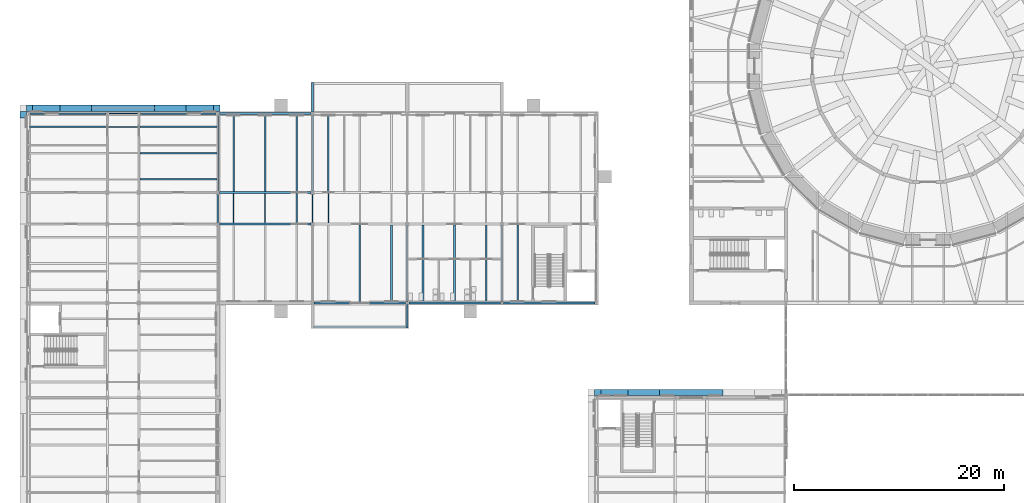
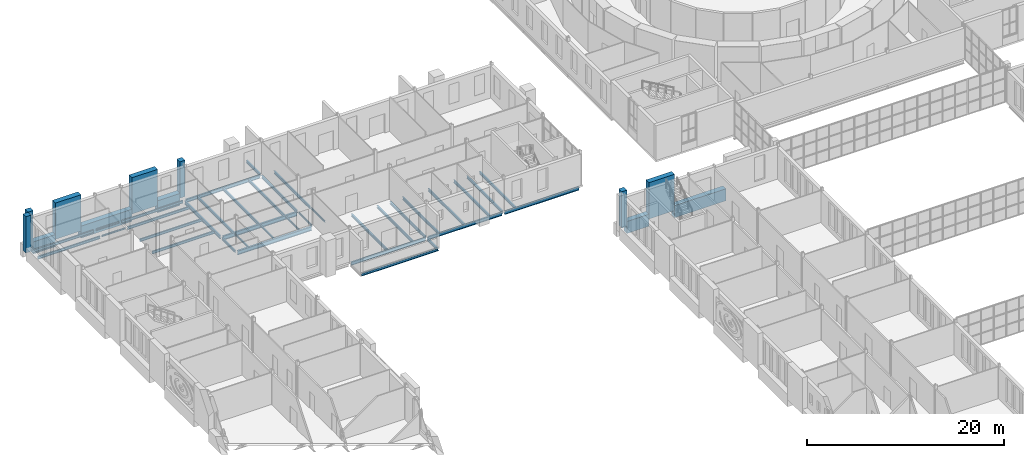
# One storey, part 41 of 131: 42 beams, 7 members.
"""IFC4 building model written with IfcOpenShell, lengths in metres."""

from ifc_helpers import new_model, si_unit, direction, frame, origin, origin_2d, place, context, subcontext, project, spatial, rectangle, i_section, extrude, material, material_profile, profile_set, type_object, element, save


model = new_model("IFC4")

# Units and contexts
model_context = context("Model", 3, precision=1e-05, world=origin(), true_north=direction((0.0, 1.0)))
body_context = subcontext(model_context, "Body", "Model", "MODEL_VIEW")
ifc_project = project(units=[si_unit("LENGTHUNIT", "METRE"), si_unit("AREAUNIT", "SQUARE_METRE"), si_unit("VOLUMEUNIT", "CUBIC_METRE"), si_unit("PLANEANGLEUNIT", "RADIAN"), si_unit("MASSUNIT", "GRAM", prefix="KILO")], contexts=[model_context])

# Site, building, storey
site_placement = place(None, origin())
site = spatial("IfcSite", under=ifc_project, at=site_placement, CompositionType="ELEMENT")
building_placement = place(site_placement, origin())
building = spatial("IfcBuilding", under=site, at=building_placement, Name="Golden Quay Civic Hall", CompositionType="ELEMENT")
storey_placement = place(building_placement, frame((0.0, 0.0, 9.89990234375)))
storey = spatial("IfcBuildingStorey", under=building, at=storey_placement, Name="L02", CompositionType="ELEMENT", Elevation=9.89990234375)

# Beams
ifc_material_1 = material(Name="Steel S355", Category="steel")
ifc_material_profile_1 = material_profile(ifc_material_1, i_section(OverallWidth=0.159912109375, OverallDepth=0.330078125, WebThickness=0.007568359375, FlangeThickness=0.011474609375, FilletRadius=0.01806640625, at=origin_2d()), Name="IPE 330")
ifc_profile_set_1 = profile_set([ifc_material_profile_1], Name="Steel S355")
beam_type_1 = type_object("IfcBeamType", Name="Loggia head beam IPE 330", PredefinedType="BEAM", material=ifc_profile_set_1)
beam_1_placement = place(storey_placement, frame((27.080078125, 60.72998046875, -0.364990234375), z_axis=(1.0, 0.0, 0.0), x_axis=(0.0, 1.0, 0.0)))
element("IfcBeam", 1, at=beam_1_placement, inside=storey, type_object=beam_type_1, Name="Loggia head beam IPE 330 L02 5", PredefinedType="BEAM", context=body_context, shape_type="SweptSolid", body=[
    extrude(i_section(OverallWidth=0.159912109375, OverallDepth=0.330078125, WebThickness=0.007568359375, FlangeThickness=0.011474609375, FilletRadius=0.01806640625, at=origin_2d()), origin(), (0.0, 0.0, 1.0), 8.83984375),
])
ifc_material_2 = material(Name="Steel S355", Category="steel")
ifc_material_profile_2 = material_profile(ifc_material_2, i_section(OverallWidth=0.159912109375, OverallDepth=0.330078125, WebThickness=0.007568359375, FlangeThickness=0.011474609375, FilletRadius=0.01806640625, at=origin_2d()), Name="IPE 330")
ifc_profile_set_2 = profile_set([ifc_material_profile_2], Name="Steel S355")
beam_type_2 = type_object("IfcBeamType", Name="Loggia stub IPE 330", PredefinedType="BEAM", material=ifc_profile_set_2)
beam_2_placement = place(storey_placement, frame((36.0, 62.864990234375, -0.364990234375), z_axis=(0.0, -1.0, 0.0), x_axis=(1.0, 0.0, 0.0)))
element("IfcBeam", 2, at=beam_2_placement, inside=storey, type_object=beam_type_2, Name="Loggia stub IPE 330 L02 7", PredefinedType="BEAM", context=body_context, shape_type="SweptSolid", body=[
    extrude(i_section(OverallWidth=0.159912109375, OverallDepth=0.330078125, WebThickness=0.007568359375, FlangeThickness=0.011474609375, FilletRadius=0.01806640625, at=origin_2d()), origin(), (0.0, 0.0, 1.0), 2.215087890625),
])
beam_3_placement = place(storey_placement, frame((27.0, 81.135009765625, -0.364990234375), z_axis=(0.0, 1.0, 0.0), x_axis=(-1.0, 0.0, 0.0)))
element("IfcBeam", 3, at=beam_3_placement, inside=storey, type_object=beam_type_2, Name="Loggia stub IPE 330 L02 8", PredefinedType="BEAM", context=body_context, shape_type="SweptSolid", body=[
    extrude(i_section(OverallWidth=0.159912109375, OverallDepth=0.330078125, WebThickness=0.007568359375, FlangeThickness=0.011474609375, FilletRadius=0.01806640625, at=origin_2d()), origin(), (0.0, 0.0, 1.0), 2.81494140625),
])

# Members
ifc_material_3 = material(Name="Concrete C40/50", Category="concrete")
ifc_material_profile_3 = material_profile(ifc_material_3, rectangle(XDim=3.0, YDim=0.60009765625, at=origin_2d()), Name="RC 3000x600")
ifc_profile_set_3 = profile_set([ifc_material_profile_3], Name="Concrete C40/50")
member_type_1 = type_object("IfcMemberType", Name="Precast concrete facade pier 3000 x 600", PredefinedType="POST", material=ifc_profile_set_3)
for number, where, z_axis, x_axis, name in (
    (4, (4.5, 81.5, 0.0), (0.0, 0.0, 1.0), (1.0, 0.0, 0.0), "Precast concrete facade pier 3000 x 600 L02 9"),
    (5, (13.5, 81.5, 0.0), (0.0, 0.0, 1.0), (1.0, 0.0, 0.0), "Precast concrete facade pier 3000 x 600 L02 10"),
    (6, (58.5, 54.5, 0.0), (0.0, 0.0, 1.0), (1.0, 0.0, 0.0), "Precast concrete facade pier 3000 x 600 L02 23"),
):
    element("IfcMember", number, at=place(storey_placement, frame(where, z_axis=z_axis, x_axis=x_axis)), inside=storey, type_object=member_type_1, Name=name, PredefinedType="POST", context=body_context, shape_type="SweptSolid", body=[
        extrude(rectangle(XDim=3.0, YDim=0.60009765625, at=origin_2d()), origin(), (0.0, 0.0, 1.0), 4.5),
    ])
ifc_material_4 = material(Name="Concrete C40/50", Category="concrete")
ifc_material_profile_4 = material_profile(ifc_material_4, rectangle(XDim=0.60009765625, YDim=0.60009765625, at=origin_2d()), Name="RC 600x600")
ifc_profile_set_4 = profile_set([ifc_material_profile_4], Name="Concrete C40/50")
member_type_2 = type_object("IfcMemberType", Name="Precast concrete facade post 600 x 600", PredefinedType="POST", material=ifc_profile_set_4)
for number, where, z_axis, x_axis, name in (
    (7, (-0.5, 80.89990234375, 0.0), (0.0, 0.0, 1.0), (1.0, 0.0, 0.0), "Precast concrete facade post 600 x 600 L02 1"),
    (8, (0.10009765625, 81.5, 0.0), (0.0, 0.0, 1.0), (1.0, 0.0, 0.0), "Precast concrete facade post 600 x 600 L02 2"),
    (9, (17.89990234375, 81.5, 0.0), (0.0, 0.0, 1.0), (1.0, 0.0, 0.0), "Precast concrete facade post 600 x 600 L02 3"),
    (10, (54.10009765625, 54.5, 0.0), (0.0, 0.0, 1.0), (1.0, 0.0, 0.0), "Precast concrete facade post 600 x 600 L02 7"),
):
    element("IfcMember", number, at=place(storey_placement, frame(where, z_axis=z_axis, x_axis=x_axis)), inside=storey, type_object=member_type_2, Name=name, PredefinedType="POST", context=body_context, shape_type="SweptSolid", body=[
        extrude(rectangle(XDim=0.60009765625, YDim=0.60009765625, at=origin_2d()), origin(), (0.0, 0.0, 1.0), 4.5),
    ])

# Beams
ifc_material_5 = material(Name="Concrete C40/50", Category="concrete")
ifc_material_profile_5 = material_profile(ifc_material_5, rectangle(XDim=0.60009765625, YDim=1.5, at=origin_2d()), Name="RC 600x1500")
ifc_profile_set_5 = profile_set([ifc_material_profile_5], Name="Concrete C40/50")
beam_type_3 = type_object("IfcBeamType", Name="Precast concrete spandrel beam 600 x 1500", PredefinedType="SPANDREL", material=ifc_profile_set_5)
for number, where, z_axis, x_axis, name in (
    (11, (0.39990234375, 81.5, -0.14990234375), (1.0, 0.0, 0.0), (0.0, 1.0, 0.0), "Precast concrete spandrel beam 600 x 1500 L02 2"),
    (12, (15.0, 81.5, -0.14990234375), (1.0, 0.0, 0.0), (0.0, 1.0, 0.0), "Precast concrete spandrel beam 600 x 1500 L02 4"),
):
    element("IfcBeam", number, at=place(storey_placement, frame(where, z_axis=z_axis, x_axis=x_axis)), inside=storey, type_object=beam_type_3, Name=name, PredefinedType="SPANDREL", context=body_context, shape_type="SweptSolid", body=[
        extrude(rectangle(XDim=0.60009765625, YDim=1.5, at=origin_2d()), origin(), (0.0, 0.0, 1.0), 2.60009765625),
    ])
beam_4_placement = place(storey_placement, frame((6.0, 81.5, -0.14990234375), z_axis=(1.0, 0.0, 0.0), x_axis=(0.0, 1.0, 0.0)))
element("IfcBeam", 13, at=beam_4_placement, inside=storey, type_object=beam_type_3, Name="Precast concrete spandrel beam 600 x 1500 L02 5", PredefinedType="SPANDREL", context=body_context, shape_type="SweptSolid", body=[
    extrude(rectangle(XDim=0.60009765625, YDim=1.5, at=origin_2d()), origin(), (0.0, 0.0, 1.0), 6.0),
])
beam_5_placement = place(storey_placement, frame((54.39990234375, 54.5, -0.14990234375), z_axis=(1.0, 0.0, 0.0), x_axis=(0.0, 1.0, 0.0)))
element("IfcBeam", 14, at=beam_5_placement, inside=storey, type_object=beam_type_3, Name="Precast concrete spandrel beam 600 x 1500 L02 21", PredefinedType="SPANDREL", context=body_context, shape_type="SweptSolid", body=[
    extrude(rectangle(XDim=0.60009765625, YDim=1.5, at=origin_2d()), origin(), (0.0, 0.0, 1.0), 2.60009765625),
])
beam_6_placement = place(storey_placement, frame((60.0, 54.5, -0.14990234375), z_axis=(1.0, 0.0, 0.0), x_axis=(0.0, 1.0, 0.0)))
element("IfcBeam", 15, at=beam_6_placement, inside=storey, type_object=beam_type_3, Name="Precast concrete spandrel beam 600 x 1500 L02 23", PredefinedType="SPANDREL", context=body_context, shape_type="SweptSolid", body=[
    extrude(rectangle(XDim=0.60009765625, YDim=1.5, at=origin_2d()), origin(), (0.0, 0.0, 1.0), 6.0),
])
ifc_material_6 = material(Name="Steel S355", Category="steel")
ifc_material_profile_6 = material_profile(ifc_material_6, i_section(OverallWidth=0.10009765625, OverallDepth=0.199951171875, WebThickness=0.005615234375, FlangeThickness=0.008544921875, FilletRadius=0.011962890625, at=origin_2d()), Name="IPE 200")
ifc_profile_set_6 = profile_set([ifc_material_profile_6], Name="Steel S355")
beam_type_4 = type_object("IfcBeamType", Name="Steel beam IPE 200", PredefinedType="BEAM", material=ifc_profile_set_6)
for number, where, z_axis, x_axis, name in (
    (16, (7.64990234375, 81.0, -0.2998046875), (1.0, 0.0, 0.0), (0.0, 1.0, 0.0), "Beam S81-7.5"),
    (17, (27.0, 70.64990234375, -0.2998046875), (0.0, 1.0, 0.0), (-1.0, 0.0, 0.0), "Beam S27-70.5"),
):
    element("IfcBeam", number, at=place(storey_placement, frame(where, z_axis=z_axis, x_axis=x_axis)), inside=storey, type_object=beam_type_4, Name=name, PredefinedType="BEAM", context=body_context, shape_type="SweptSolid", body=[
        extrude(i_section(OverallWidth=0.10009765625, OverallDepth=0.199951171875, WebThickness=0.005615234375, FlangeThickness=0.008544921875, FilletRadius=0.011962890625, at=origin_2d()), origin(), (0.0, 0.0, 1.0), 2.7001953125),
    ])
ifc_material_7 = material(Name="Steel S355", Category="steel")
ifc_material_profile_7 = material_profile(ifc_material_7, i_section(OverallWidth=0.135009765625, OverallDepth=0.27001953125, WebThickness=0.006591796875, FlangeThickness=0.01025390625, FilletRadius=0.014892578125, at=origin_2d()), Name="IPE 270")
ifc_profile_set_7 = profile_set([ifc_material_profile_7], Name="Steel S355")
beam_type_5 = type_object("IfcBeamType", Name="Steel beam IPE 270", PredefinedType="BEAM", material=ifc_profile_set_7)
beam_7_placement = place(storey_placement, frame((18.0, 70.64990234375, -0.3349609375), z_axis=(0.0, 1.0, 0.0), x_axis=(-1.0, 0.0, 0.0)))
element("IfcBeam", 18, at=beam_7_placement, inside=storey, type_object=beam_type_5, Name="Beam L18-70.5", PredefinedType="BEAM", context=body_context, shape_type="SweptSolid", body=[
    extrude(i_section(OverallWidth=0.135009765625, OverallDepth=0.27001953125, WebThickness=0.006591796875, FlangeThickness=0.01025390625, FilletRadius=0.014892578125, at=origin_2d()), origin(), (0.0, 0.0, 1.0), 2.7001953125),
])
ifc_material_8 = material(Name="Steel S355", Category="steel")
ifc_material_profile_8 = material_profile(ifc_material_8, i_section(OverallWidth=0.159912109375, OverallDepth=0.330078125, WebThickness=0.007568359375, FlangeThickness=0.011474609375, FilletRadius=0.01806640625, at=origin_2d()), Name="IPE 330")
ifc_profile_set_8 = profile_set([ifc_material_profile_8], Name="Steel S355")
beam_type_6 = type_object("IfcBeamType", Name="Steel beam IPE 330", PredefinedType="BEAM", material=ifc_profile_set_8)
for number, where, z_axis, x_axis, name in (
    (19, (0.14990234375, 81.0, -0.364990234375), (1.0, 0.0, 0.0), (0.0, 1.0, 0.0), "Beam S81-0"),
    (20, (10.64990234375, 81.0, -0.364990234375), (1.0, 0.0, 0.0), (0.0, 1.0, 0.0), "Beam S81-10.5"),
):
    element("IfcBeam", number, at=place(storey_placement, frame(where, z_axis=z_axis, x_axis=x_axis)), inside=storey, type_object=beam_type_6, Name=name, PredefinedType="BEAM", context=body_context, shape_type="SweptSolid", body=[
        extrude(i_section(OverallWidth=0.159912109375, OverallDepth=0.330078125, WebThickness=0.007568359375, FlangeThickness=0.011474609375, FilletRadius=0.01806640625, at=origin_2d()), origin(), (0.0, 0.0, 1.0), 7.2001953125),
    ])
for number, where, z_axis, x_axis, name in (
    (21, (27.0, 73.64990234375, -0.364990234375), (0.0, 1.0, 0.0), (-1.0, 0.0, 0.0), "Beam S27-73.5"),
    (22, (36.0, 63.14501953125, -0.364990234375), (0.0, 1.0, 0.0), (-1.0, 0.0, 0.0), "Beam S36-63"),
    (23, (45.0, 63.14501953125, -0.364990234375), (0.0, 1.0, 0.0), (-1.0, 0.0, 0.0), "Beam S45-63"),
):
    element("IfcBeam", number, at=place(storey_placement, frame(where, z_axis=z_axis, x_axis=x_axis)), inside=storey, type_object=beam_type_6, Name=name, PredefinedType="BEAM", context=body_context, shape_type="SweptSolid", body=[
        extrude(i_section(OverallWidth=0.159912109375, OverallDepth=0.330078125, WebThickness=0.007568359375, FlangeThickness=0.011474609375, FilletRadius=0.01806640625, at=origin_2d()), origin(), (0.0, 0.0, 1.0), 7.205078125),
    ])
ifc_material_9 = material(Name="Steel S355", Category="steel")
ifc_material_profile_9 = material_profile(ifc_material_9, i_section(OverallWidth=0.179931640625, OverallDepth=0.39990234375, WebThickness=0.008544921875, FlangeThickness=0.013427734375, FilletRadius=0.02099609375, at=origin_2d()), Name="IPE 400")
ifc_profile_set_9 = profile_set([ifc_material_profile_9], Name="Steel S355")
beam_type_7 = type_object("IfcBeamType", Name="Steel beam IPE 400", PredefinedType="BEAM", material=ifc_profile_set_9)
beam_8_placement = place(storey_placement, frame((18.0, 73.64990234375, -0.39990234375), z_axis=(0.0, 1.0, 0.0), x_axis=(-1.0, 0.0, 0.0)))
element("IfcBeam", 24, at=beam_8_placement, inside=storey, type_object=beam_type_7, Name="Beam L18-73.5", PredefinedType="BEAM", context=body_context, shape_type="SweptSolid", body=[
    extrude(i_section(OverallWidth=0.179931640625, OverallDepth=0.39990234375, WebThickness=0.008544921875, FlangeThickness=0.013427734375, FilletRadius=0.02099609375, at=origin_2d()), origin(), (0.0, 0.0, 1.0), 7.2001953125),
])
for number, where, z_axis, x_axis, name in (
    (25, (27.14990234375, 63.0, -0.39990234375), (1.0, 0.0, 0.0), (0.0, 1.0, 0.0), "Beam L63-27"),
    (26, (36.14990234375, 63.0, -0.39990234375), (1.0, 0.0, 0.0), (0.0, 1.0, 0.0), "Beam L63-36"),
    (27, (45.14990234375, 63.0, -0.39990234375), (1.0, 0.0, 0.0), (0.0, 1.0, 0.0), "Beam L63-45"),
    (28, (18.14990234375, 81.0, -0.39990234375), (1.0, 0.0, 0.0), (0.0, 1.0, 0.0), "Beam L81-18"),
):
    element("IfcBeam", number, at=place(storey_placement, frame(where, z_axis=z_axis, x_axis=x_axis)), inside=storey, type_object=beam_type_7, Name=name, PredefinedType="BEAM", context=body_context, shape_type="SweptSolid", body=[
        extrude(i_section(OverallWidth=0.179931640625, OverallDepth=0.39990234375, WebThickness=0.008544921875, FlangeThickness=0.013427734375, FilletRadius=0.02099609375, at=origin_2d()), origin(), (0.0, 0.0, 1.0), 8.7001953125),
    ])
ifc_material_10 = material(Name="Steel S355", Category="steel")
ifc_material_profile_10 = material_profile(ifc_material_10, i_section(OverallWidth=0.199951171875, OverallDepth=0.5, WebThickness=0.01025390625, FlangeThickness=0.01611328125, FilletRadius=0.02099609375, at=origin_2d()), Name="IPE 500")
ifc_profile_set_10 = profile_set([ifc_material_profile_10], Name="Steel S355")
beam_type_8 = type_object("IfcBeamType", Name="Steel beam IPE 500", PredefinedType="BEAM", material=ifc_profile_set_10)
for number, where, z_axis, x_axis, name in (
    (29, (18.14990234375, 70.5, -0.449951171875), (1.0, 0.0, 0.0), (0.0, 1.0, 0.0), "Beam L70.5-18"),
    (30, (18.14990234375, 73.5, -0.449951171875), (1.0, 0.0, 0.0), (0.0, 1.0, 0.0), "Beam L73.5-18"),
):
    element("IfcBeam", number, at=place(storey_placement, frame(where, z_axis=z_axis, x_axis=x_axis)), inside=storey, type_object=beam_type_8, Name=name, PredefinedType="BEAM", context=body_context, shape_type="SweptSolid", body=[
        extrude(i_section(OverallWidth=0.199951171875, OverallDepth=0.5, WebThickness=0.01025390625, FlangeThickness=0.01611328125, FilletRadius=0.02099609375, at=origin_2d()), origin(), (0.0, 0.0, 1.0), 8.7001953125),
    ])
ifc_material_11 = material(Name="Steel S355", Category="steel")
ifc_material_profile_11 = material_profile(ifc_material_11, i_section(OverallWidth=0.10009765625, OverallDepth=0.199951171875, WebThickness=0.005615234375, FlangeThickness=0.008544921875, FilletRadius=0.011962890625, at=origin_2d()), Name="IPE 200")
ifc_profile_set_11 = profile_set([ifc_material_profile_11], Name="Steel S355")
beam_type_9 = type_object("IfcBeamType", Name="Steel joist IPE 200", PredefinedType="JOIST", material=ifc_profile_set_11)
for number, where, z_axis, x_axis, name in (
    (31, (7.60009765625, 79.75, -0.2998046875), (1.0, 0.0, 0.0), (0.0, 1.0, 0.0), "Joist J79.75-7.5"),
    (32, (19.5, 70.60009765625, -0.2998046875), (0.0, 1.0, 0.0), (-1.0, 0.0, 0.0), "Joist J19.5-70.5"),
    (33, (22.5, 70.60009765625, -0.2998046875), (0.0, 1.0, 0.0), (-1.0, 0.0, 0.0), "Joist J22.5-70.5"),
    (34, (25.5, 70.60009765625, -0.2998046875), (0.0, 1.0, 0.0), (-1.0, 0.0, 0.0), "Joist J25.5-70.5"),
    (35, (28.5, 70.60009765625, -0.2998046875), (0.0, 1.0, 0.0), (-1.0, 0.0, 0.0), "Joist J28.5-70.5"),
):
    element("IfcBeam", number, at=place(storey_placement, frame(where, z_axis=z_axis, x_axis=x_axis)), inside=storey, type_object=beam_type_9, Name=name, PredefinedType="JOIST", context=body_context, shape_type="SweptSolid", body=[
        extrude(i_section(OverallWidth=0.10009765625, OverallDepth=0.199951171875, WebThickness=0.005615234375, FlangeThickness=0.008544921875, FilletRadius=0.011962890625, at=origin_2d()), origin(), (0.0, 0.0, 1.0), 2.7998046875),
    ])
ifc_material_12 = material(Name="Steel S355", Category="steel")
ifc_material_profile_12 = material_profile(ifc_material_12, i_section(OverallWidth=0.159912109375, OverallDepth=0.330078125, WebThickness=0.007568359375, FlangeThickness=0.011474609375, FilletRadius=0.01806640625, at=origin_2d()), Name="IPE 330")
ifc_profile_set_12 = profile_set([ifc_material_profile_12], Name="Steel S355")
beam_type_10 = type_object("IfcBeamType", Name="Steel joist IPE 330", PredefinedType="JOIST", material=ifc_profile_set_12)
for number, where, z_axis, x_axis, name in (
    (36, (10.60009765625, 74.75, -0.364990234375), (1.0, 0.0, 0.0), (0.0, 1.0, 0.0), "Joist J74.75-10.5"),
    (37, (10.60009765625, 77.25, -0.364990234375), (1.0, 0.0, 0.0), (0.0, 1.0, 0.0), "Joist J77.25-10.5"),
    (38, (0.090087890625, 79.75, -0.364990234375), (1.0, 0.0, 0.0), (0.0, 1.0, 0.0), "Joist J79.75-0"),
    (39, (10.60009765625, 79.75, -0.364990234375), (1.0, 0.0, 0.0), (0.0, 1.0, 0.0), "Joist J79.75-10.5"),
    (40, (19.5, 73.60009765625, -0.364990234375), (0.0, 1.0, 0.0), (-1.0, 0.0, 0.0), "Joist J19.5-73.5"),
    (41, (22.5, 73.60009765625, -0.364990234375), (0.0, 1.0, 0.0), (-1.0, 0.0, 0.0), "Joist J22.5-73.5"),
    (42, (25.5, 73.60009765625, -0.364990234375), (0.0, 1.0, 0.0), (-1.0, 0.0, 0.0), "Joist J25.5-73.5"),
    (43, (28.5, 73.60009765625, -0.364990234375), (0.0, 1.0, 0.0), (-1.0, 0.0, 0.0), "Joist J28.5-73.5"),
    (44, (31.5, 63.090087890625, -0.364990234375), (0.0, 1.0, 0.0), (-1.0, 0.0, 0.0), "Joist J31.5-63"),
    (45, (34.5, 63.090087890625, -0.364990234375), (0.0, 1.0, 0.0), (-1.0, 0.0, 0.0), "Joist J34.5-63"),
    (46, (37.5, 63.090087890625, -0.364990234375), (0.0, 1.0, 0.0), (-1.0, 0.0, 0.0), "Joist J37.5-63"),
    (47, (40.5, 63.090087890625, -0.364990234375), (0.0, 1.0, 0.0), (-1.0, 0.0, 0.0), "Joist J40.5-63"),
    (48, (43.5, 63.090087890625, -0.364990234375), (0.0, 1.0, 0.0), (-1.0, 0.0, 0.0), "Joist J43.5-63"),
    (49, (46.5, 63.090087890625, -0.364990234375), (0.0, 1.0, 0.0), (-1.0, 0.0, 0.0), "Joist J46.5-63"),
):
    element("IfcBeam", number, at=place(storey_placement, frame(where, z_axis=z_axis, x_axis=x_axis)), inside=storey, type_object=beam_type_10, Name=name, PredefinedType="JOIST", context=body_context, shape_type="SweptSolid", body=[
        extrude(i_section(OverallWidth=0.159912109375, OverallDepth=0.330078125, WebThickness=0.007568359375, FlangeThickness=0.011474609375, FilletRadius=0.01806640625, at=origin_2d()), origin(), (0.0, 0.0, 1.0), 7.309814453125),
    ])

save(model, "model.ifc")
